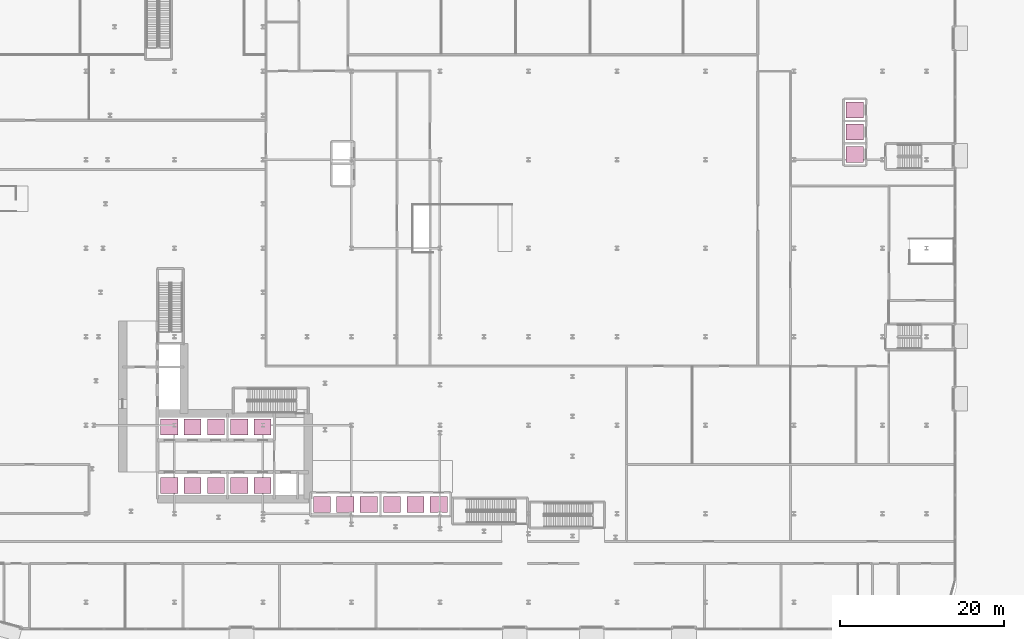
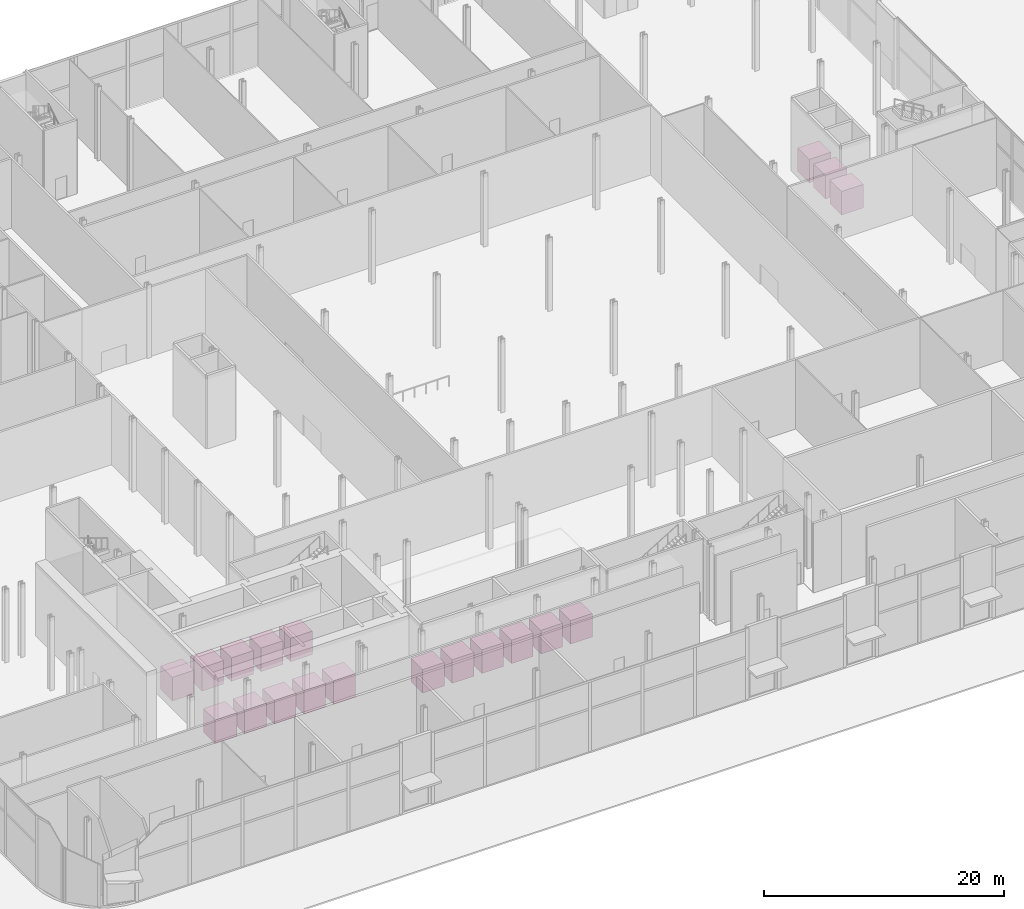
# One storey, part 46 of 46: 19 transport elements.
"""IFC4 building model written with IfcOpenShell, lengths in metres."""

from ifc_helpers import new_model, si_unit, direction, frame, origin, origin_2d, place, context, subcontext, project, spatial, rectangle, extrude, material, type_object, element, save


model = new_model("IFC4")

# Units and contexts
model_context = context("Model", 3, precision=1e-05, world=origin(), true_north=direction((0.0, 1.0)))
body_context = subcontext(model_context, "Body", "Model", "MODEL_VIEW")
ifc_project = project(units=[si_unit("LENGTHUNIT", "METRE"), si_unit("AREAUNIT", "SQUARE_METRE"), si_unit("VOLUMEUNIT", "CUBIC_METRE"), si_unit("PLANEANGLEUNIT", "RADIAN"), si_unit("MASSUNIT", "GRAM", prefix="KILO")], contexts=[model_context])

# Site, building, storey
site_placement = place(None, origin())
site = spatial("IfcSite", under=ifc_project, at=site_placement, CompositionType="ELEMENT")
building_placement = place(site_placement, origin())
building = spatial("IfcBuilding", under=site, at=building_placement, Name="Kheshtan School and Residences Tower", CompositionType="ELEMENT")
storey_placement = place(building_placement, origin())
storey = spatial("IfcBuildingStorey", under=building, at=storey_placement, Name="L00", CompositionType="ELEMENT", Elevation=0.0)

# Transport elements
ifc_material = material(Name="Stainless steel car with glass panels", Category="steel")
transport_element_type = type_object("IfcTransportElementType", Name="Passenger lift car 2000 kg", PredefinedType="ELEVATOR", material=ifc_material)
for number, where, z_axis, x_axis, name in (
    (1, (54.824951171875, 25.125, 0.030029296875), (0.0, 0.0, 1.0), (1.0, 0.0, 0.0), "Lift P1"),
    (2, (57.675048828125, 25.125, 0.030029296875), (0.0, 0.0, 1.0), (1.0, 0.0, 0.0), "Lift P2"),
    (3, (60.52490234375, 25.125, 0.030029296875), (0.0, 0.0, 1.0), (1.0, 0.0, 0.0), "Lift P3"),
    (4, (63.375, 25.125, 0.030029296875), (0.0, 0.0, 1.0), (1.0, 0.0, 0.0), "Lift P4"),
    (5, (66.22509765625, 25.125, 0.030029296875), (0.0, 0.0, 1.0), (1.0, 0.0, 0.0), "Lift P5"),
    (6, (69.074951171875, 25.125, 0.030029296875), (0.0, 0.0, 1.0), (1.0, 0.0, 0.0), "Lift P6"),
    (7, (36.175048828125, 27.425048828125, 0.030029296875), (0.0, 0.0, 1.0), (1.0, 0.0, 0.0), "Lift P7"),
    (8, (39.02490234375, 27.425048828125, 0.030029296875), (0.0, 0.0, 1.0), (1.0, 0.0, 0.0), "Lift P8"),
    (9, (41.875, 27.425048828125, 0.030029296875), (0.0, 0.0, 1.0), (1.0, 0.0, 0.0), "Lift P9"),
    (10, (44.72509765625, 27.425048828125, 0.030029296875), (0.0, 0.0, 1.0), (1.0, 0.0, 0.0), "Lift P10"),
    (11, (47.574951171875, 27.425048828125, 0.030029296875), (0.0, 0.0, 1.0), (1.0, 0.0, 0.0), "Lift P11"),
    (12, (36.175048828125, 34.574951171875, 0.030029296875), (0.0, 0.0, 1.0), (1.0, 0.0, 0.0), "Lift P12"),
    (13, (39.02490234375, 34.574951171875, 0.030029296875), (0.0, 0.0, 1.0), (1.0, 0.0, 0.0), "Lift P13"),
    (14, (41.875, 34.574951171875, 0.030029296875), (0.0, 0.0, 1.0), (1.0, 0.0, 0.0), "Lift P14"),
    (15, (44.72509765625, 34.574951171875, 0.030029296875), (0.0, 0.0, 1.0), (1.0, 0.0, 0.0), "Lift P15"),
    (16, (47.574951171875, 34.574951171875, 0.030029296875), (0.0, 0.0, 1.0), (1.0, 0.0, 0.0), "Lift P16"),
    (17, (119.85009765625, 67.85009765625, 0.030029296875), (0.0, 0.0, 1.0), (1.0, 0.0, 0.0), "Lift SCL1"),
    (18, (119.85009765625, 70.550048828125, 0.030029296875), (0.0, 0.0, 1.0), (1.0, 0.0, 0.0), "Lift SCL2"),
    (19, (119.85009765625, 73.25, 0.030029296875), (0.0, 0.0, 1.0), (1.0, 0.0, 0.0), "Lift SCL3"),
):
    element("IfcTransportElement", number, at=place(storey_placement, frame(where, z_axis=z_axis, x_axis=x_axis)), inside=storey, type_object=transport_element_type, Name=name, PredefinedType="ELEVATOR", context=body_context, shape_type="SweptSolid", body=[
        extrude(rectangle(XDim=2.10009765625, YDim=1.949951171875, at=origin_2d()), origin(), (0.0, 0.0, 1.0), 2.39990234375),
    ])

save(model, "model.ifc")
